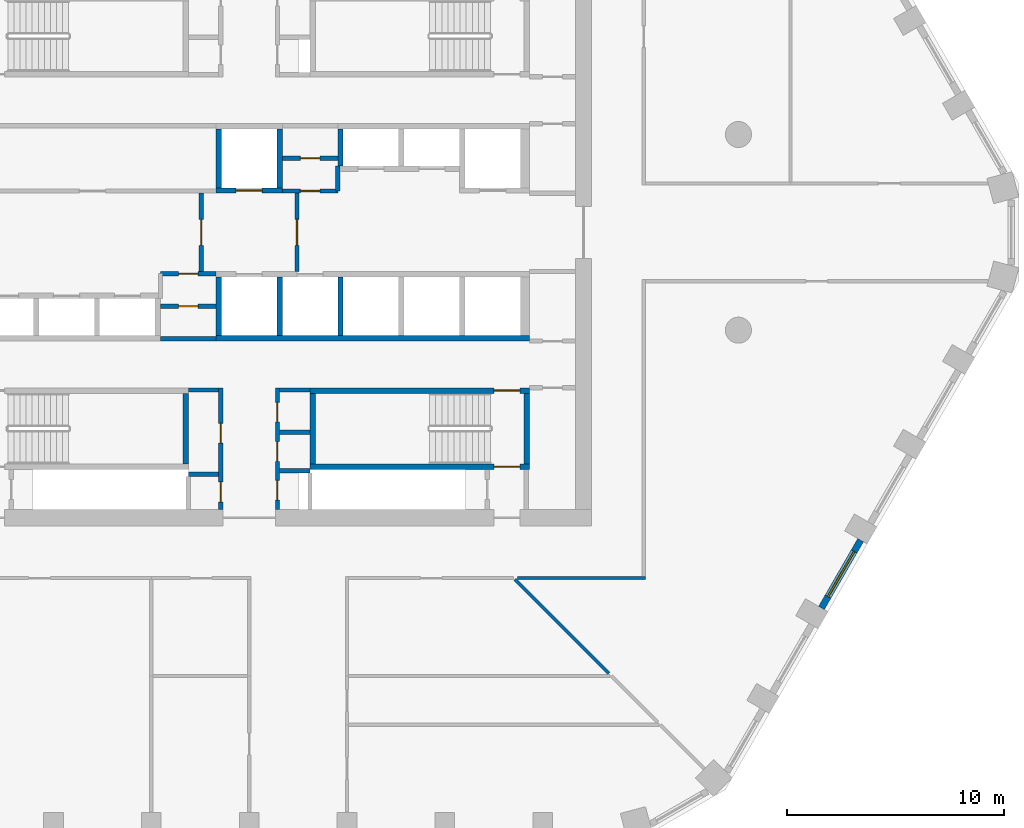
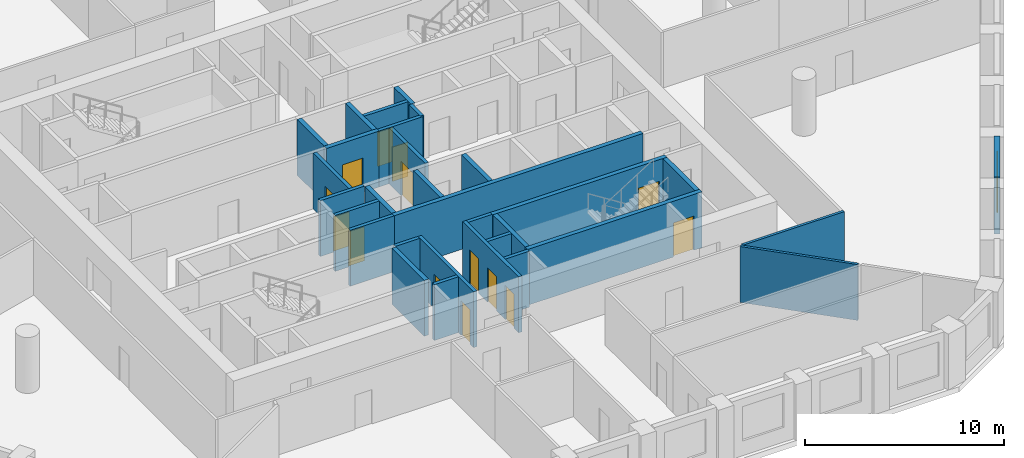
# One storey, part 4 of 9: 31 walls, 14 doors, 1 window, 15 openings.
"""IFC4 building model written with IfcOpenShell, lengths in metres."""

from ifc_helpers import new_model, si_unit, direction, frame, frame_2d, origin, place, context, subcontext, project, spatial, polyline, rectangle, outline, extrude, material, layer, layer_set, type_object, element, fill, save


model = new_model("IFC4")

# Units and contexts
model_context = context("Model", 3, precision=1e-05, world=origin(), true_north=direction((0.0, 1.0)))
body_context = subcontext(model_context, "Body", "Model", "MODEL_VIEW")
ifc_project = project(units=[si_unit("LENGTHUNIT", "METRE"), si_unit("AREAUNIT", "SQUARE_METRE"), si_unit("VOLUMEUNIT", "CUBIC_METRE"), si_unit("PLANEANGLEUNIT", "RADIAN"), si_unit("MASSUNIT", "GRAM", prefix="KILO")], contexts=[model_context])

# Site, building, storey
site_placement = place(None, origin())
site = spatial("IfcSite", under=ifc_project, at=site_placement, CompositionType="ELEMENT")
building_placement = place(site_placement, origin())
building = spatial("IfcBuilding", under=site, at=building_placement, Name="Dhurran Vertical Campus", CompositionType="ELEMENT")
storey_placement = place(building_placement, frame((0.0, 0.0, 175.5)))
storey = spatial("IfcBuildingStorey", under=building, at=storey_placement, Name="L43", CompositionType="ELEMENT", Elevation=175.5)

# Wall, opening, window
ifc_material_1 = material(Name="Precast concrete C50/60", Category="concrete")
ifc_layer_1 = layer(ifc_material_1, 0.300048828125)
ifc_layer_set_1 = layer_set([ifc_layer_1], Name="Precast concrete C50/60")
wall_type_1 = type_object("IfcWallType", Name="Precast spandrel wall 300", PredefinedType="SOLIDWALL", material=ifc_layer_set_1)
wall_1_placement = place(storey_placement, frame((26.3193359375, -17.273193359375, 0.0), z_axis=(0.0, 0.0, 1.0), x_axis=(0.500027802648, 0.866009351323, 0.0)))
wall_1 = element("IfcWall", 1, at=wall_1_placement, inside=storey, type_object=wall_type_1, Name="EW1 L43.11", PredefinedType="SOLIDWALL", context=body_context, shape_type="SweptSolid", body=[
    extrude(rectangle(XDim=3.598876953125, YDim=0.300048828125, at=frame_2d((1.79931640625, 0.0))), origin(), (0.0, 0.0, 1.0), 3.5),
])
opening_1_placement = place(wall_1_placement, frame((0.599609375, 0.0, 0.89990234375)))
opening_1 = element("IfcOpeningElement", 2, at=opening_1_placement, cuts=wall_1, Name="Opening WT1", PredefinedType="OPENING", context=body_context, shape_type="SweptSolid", body=[
    extrude(rectangle(XDim=2.39990234375, YDim=2.10009765625, at=frame_2d((1.199951171875, 1.050048828125))), frame((0.0, 0.159912109375, 0.0), z_axis=(0.0, -1.0, 0.0), x_axis=(1.0, 0.0, 0.0)), (0.0, 0.0, 1.0), 0.320068359375),
])
ifc_material_2 = material(Name="Aluminium frame with solar-control glass", Category="aluminium")
window_type = type_object("IfcWindowType", Name="Punched window 2400 x 2100", PartitioningType="SINGLE_PANEL", PredefinedType="WINDOW", material=ifc_material_2)
window_placement = place(opening_1_placement, origin())
window = element("IfcWindow", 3, at=window_placement, inside=storey, type_object=window_type, Name="WT1 L43.11", OverallHeight=2.10009765625, OverallWidth=2.39990234375, PartitioningType="SINGLE_PANEL", PredefinedType="WINDOW", context=body_context, shape_type="SweptSolid", body=[
    extrude(rectangle(XDim=2.39990234375, YDim=2.10009765625, at=frame_2d((1.199951171875, 1.050048828125))), frame((0.0, 0.030029296875, 0.0), z_axis=(0.0, -1.0, 0.0), x_axis=(1.0, 0.0, 0.0)), (0.0, 0.0, 1.0), 0.06005859375),
])
fill(opening_1, window)

# Wall, opening, door
ifc_material_3 = material(Name="Fire-rated masonry blockwork", Category="masonry")
ifc_layer_2 = layer(ifc_material_3, 0.199951171875)
ifc_layer_set_2 = layer_set([ifc_layer_2], Name="Fire-rated masonry blockwork")
wall_type_2 = type_object("IfcWallType", Name="co-FIRE-PARTITION-200", PredefinedType="PARTITIONING", material=ifc_layer_set_2)
wall_2_placement = place(storey_placement, frame((-2.199951171875, -1.800048828125, 0.0), z_axis=(0.0, 0.0, 1.0), x_axis=(0.0, 1.0, 0.0)))
wall_2 = element("IfcWall", 4, at=wall_2_placement, inside=storey, type_object=wall_type_2, Name="Firefighting lobby wall W L43", PredefinedType="PARTITIONING", context=body_context, shape_type="SweptSolid", body=[
    extrude(rectangle(XDim=3.60009765625, YDim=0.199951171875, at=frame_2d((1.800048828125, 0.0))), origin(), (0.0, 0.0, 1.0), 3.425048828125),
])
opening_2_placement = place(wall_2_placement, frame((1.199951171875, 0.0, 0.0)))
opening_2 = element("IfcOpeningElement", 5, at=opening_2_placement, cuts=wall_2, Name="Opening FL1", PredefinedType="OPENING", context=body_context, shape_type="SweptSolid", body=[
    extrude(rectangle(XDim=1.199951171875, YDim=2.10009765625, at=frame_2d((0.60009765625, 1.050048828125))), frame((0.0, 0.10986328125, 0.0), z_axis=(0.0, -1.0, 0.0), x_axis=(1.0, 0.0, 0.0)), (0.0, 0.0, 1.0), 0.219970703125),
])
ifc_material_4 = material(Name="Fire-rated steel door set", Category="steel")
door_type_1 = type_object("IfcDoorType", Name="co-D-FFLOBBY 1200x2100", OperationType="SINGLE_SWING_LEFT", PredefinedType="DOOR", material=ifc_material_4)
door_1_placement = place(opening_2_placement, origin())
door_1 = element("IfcDoor", 6, at=door_1_placement, inside=storey, type_object=door_type_1, Name="Firefighting lobby door W L43", OperationType="SINGLE_SWING_LEFT", OverallHeight=2.10009765625, OverallWidth=1.199951171875, PredefinedType="DOOR", context=body_context, shape_type="SweptSolid", body=[
    extrude(rectangle(XDim=1.199951171875, YDim=2.10009765625, at=frame_2d((0.60009765625, 1.050048828125))), frame((0.0, 0.02490234375, 0.0), z_axis=(0.0, -1.0, 0.0), x_axis=(1.0, 0.0, 0.0)), (0.0, 0.0, 1.0), 0.050048828125),
])
fill(opening_2, door_1)

wall_3_placement = place(storey_placement, frame((2.199951171875, -1.800048828125, 0.0), z_axis=(0.0, 0.0, 1.0), x_axis=(0.0, 1.0, 0.0)))
wall_3 = element("IfcWall", 7, at=wall_3_placement, inside=storey, type_object=wall_type_2, Name="Firefighting lobby wall E L43", PredefinedType="PARTITIONING", context=body_context, shape_type="SweptSolid", body=[
    extrude(rectangle(XDim=3.60009765625, YDim=0.199951171875, at=frame_2d((1.800048828125, 0.0))), origin(), (0.0, 0.0, 1.0), 3.425048828125),
])
opening_3_placement = place(wall_3_placement, frame((1.199951171875, 0.0, 0.0)))
opening_3 = element("IfcOpeningElement", 8, at=opening_3_placement, cuts=wall_3, Name="Opening FL2", PredefinedType="OPENING", context=body_context, shape_type="SweptSolid", body=[
    extrude(rectangle(XDim=1.199951171875, YDim=2.10009765625, at=frame_2d((0.60009765625, 1.050048828125))), frame((0.0, 0.10986328125, 0.0), z_axis=(0.0, -1.0, 0.0), x_axis=(1.0, 0.0, 0.0)), (0.0, 0.0, 1.0), 0.219970703125),
])
door_2_placement = place(opening_3_placement, origin())
door_2 = element("IfcDoor", 9, at=door_2_placement, inside=storey, type_object=door_type_1, Name="Firefighting lobby door E L43", OperationType="SINGLE_SWING_LEFT", OverallHeight=2.10009765625, OverallWidth=1.199951171875, PredefinedType="DOOR", context=body_context, shape_type="SweptSolid", body=[
    extrude(rectangle(XDim=1.199951171875, YDim=2.10009765625, at=frame_2d((0.60009765625, 1.050048828125))), frame((0.0, 0.02490234375, 0.0), z_axis=(0.0, -1.0, 0.0), x_axis=(1.0, 0.0, 0.0)), (0.0, 0.0, 1.0), 0.050048828125),
])
fill(opening_3, door_2)

# Walls
for number, where, z_axis, x_axis, name in (
    (10, (-2.800048828125, -7.25, 0.0), (0.0, 0.0, 1.0), (1.0, 0.0, 0.0), "Core partition sl-SW-S L43"),
    (11, (-2.800048828125, -11.1298828125, 0.0), (0.0, 0.0, 1.0), (1.0, 0.0, 0.0), "Core partition sl-SW-cut0 L43"),
    (12, (1.39990234375, -7.25, 0.0), (0.0, 0.0, 1.0), (1.0, 0.0, 0.0), "Core partition sl-SE-S L43"),
    (13, (1.39990234375, -9.18603515625, 0.0), (0.0, 0.0, 1.0), (1.0, 0.0, 0.0), "Core partition sl-SE-cut0 L43"),
    (14, (1.39990234375, -10.968017578125, 0.0), (0.0, 0.0, 1.0), (1.0, 0.0, 0.0), "Core partition sl-SE-cut1 L43"),
):
    element("IfcWall", number, at=place(storey_placement, frame(where, z_axis=z_axis, x_axis=x_axis)), inside=storey, type_object=wall_type_2, Name=name, PredefinedType="PARTITIONING", context=body_context, shape_type="SweptSolid", body=[
        extrude(rectangle(XDim=1.400146484375, YDim=0.199951171875, at=frame_2d((0.7001953125, 0.0))), origin(), (0.0, 0.0, 1.0), 3.425048828125),
    ])

# Wall, openings, doors
wall_4_placement = place(storey_placement, frame((-1.300048828125, -12.75, 0.0), z_axis=(0.0, 0.0, 1.0), x_axis=(0.0, 1.0, 0.0)))
wall_4 = element("IfcWall", 15, at=wall_4_placement, inside=storey, type_object=wall_type_2, Name="Core partition vest-SW L43", PredefinedType="PARTITIONING", context=body_context, shape_type="SweptSolid", body=[
    extrude(rectangle(XDim=5.60009765625, YDim=0.199951171875, at=frame_2d((2.800048828125, 0.0))), origin(), (0.0, 0.0, 1.0), 3.425048828125),
])
opening_4_placement = place(wall_4_placement, frame((0.360107421875, 0.0, 0.0)))
opening_4 = element("IfcOpeningElement", 16, at=opening_4_placement, cuts=wall_4, Name="Opening T12-C1", PredefinedType="OPENING", context=body_context, shape_type="SweptSolid", body=[
    extrude(rectangle(XDim=0.89990234375, YDim=2.10009765625, at=frame_2d((0.449951171875, 1.050048828125))), frame((0.0, 0.10986328125, 0.0), z_axis=(0.0, -1.0, 0.0), x_axis=(1.0, 0.0, 0.0)), (0.0, 0.0, 1.0), 0.219970703125),
])
opening_5_placement = place(wall_4_placement, frame((3.06005859375, 0.0, 0.0)))
opening_5 = element("IfcOpeningElement", 17, at=opening_5_placement, cuts=wall_4, Name="Opening T12-C2", PredefinedType="OPENING", context=body_context, shape_type="SweptSolid", body=[
    extrude(rectangle(XDim=0.89990234375, YDim=2.10009765625, at=frame_2d((0.449951171875, 1.050048828125))), frame((0.0, 0.10986328125, 0.0), z_axis=(0.0, -1.0, 0.0), x_axis=(1.0, 0.0, 0.0)), (0.0, 0.0, 1.0), 0.219970703125),
])
ifc_material_5 = material(Name="Fire-rated timber door set", Category="wood")
door_type_2 = type_object("IfcDoorType", Name="co-D-ROOM 900x2100", OperationType="SINGLE_SWING_LEFT", PredefinedType="DOOR", material=ifc_material_5)
door_3_placement = place(opening_4_placement, origin())
door_3 = element("IfcDoor", 18, at=door_3_placement, inside=storey, type_object=door_type_2, Name="Print room door L43", OperationType="SINGLE_SWING_LEFT", OverallHeight=2.10009765625, OverallWidth=0.89990234375, PredefinedType="DOOR", context=body_context, shape_type="SweptSolid", body=[
    extrude(rectangle(XDim=0.89990234375, YDim=2.10009765625, at=frame_2d((0.449951171875, 1.050048828125))), frame((0.0, 0.02490234375, 0.0), z_axis=(0.0, -1.0, 0.0), x_axis=(1.0, 0.0, 0.0)), (0.0, 0.0, 1.0), 0.050048828125),
])
fill(opening_4, door_3)
door_4_placement = place(opening_5_placement, origin())
door_4 = element("IfcDoor", 19, at=door_4_placement, inside=storey, type_object=door_type_2, Name="Communications room door L43", OperationType="SINGLE_SWING_LEFT", OverallHeight=2.10009765625, OverallWidth=0.89990234375, PredefinedType="DOOR", context=body_context, shape_type="SweptSolid", body=[
    extrude(rectangle(XDim=0.89990234375, YDim=2.10009765625, at=frame_2d((0.449951171875, 1.050048828125))), frame((0.0, 0.02490234375, 0.0), z_axis=(0.0, -1.0, 0.0), x_axis=(1.0, 0.0, 0.0)), (0.0, 0.0, 1.0), 0.050048828125),
])
fill(opening_5, door_4)

wall_5_placement = place(storey_placement, frame((1.300048828125, -12.75, 0.0), z_axis=(0.0, 0.0, 1.0), x_axis=(0.0, 1.0, 0.0)))
wall_5 = element("IfcWall", 20, at=wall_5_placement, inside=storey, type_object=wall_type_2, Name="Core partition vest-SE L43", PredefinedType="PARTITIONING", context=body_context, shape_type="SweptSolid", body=[
    extrude(rectangle(XDim=5.60009765625, YDim=0.199951171875, at=frame_2d((2.800048828125, 0.0))), origin(), (0.0, 0.0, 1.0), 3.425048828125),
])
opening_6_placement = place(wall_5_placement, frame((0.44091796875, 0.0, 0.0)))
opening_6 = element("IfcOpeningElement", 21, at=opening_6_placement, cuts=wall_5, Name="Opening T12-C3", PredefinedType="OPENING", context=body_context, shape_type="SweptSolid", body=[
    extrude(rectangle(XDim=0.89990234375, YDim=2.10009765625, at=frame_2d((0.449951171875, 1.050048828125))), frame((0.0, 0.10986328125, 0.0), z_axis=(0.0, -1.0, 0.0), x_axis=(1.0, 0.0, 0.0)), (0.0, 0.0, 1.0), 0.219970703125),
])
opening_7_placement = place(wall_5_placement, frame((2.222900390625, 0.0, 0.0)))
opening_7 = element("IfcOpeningElement", 22, at=opening_7_placement, cuts=wall_5, Name="Opening T12-C4", PredefinedType="OPENING", context=body_context, shape_type="SweptSolid", body=[
    extrude(rectangle(XDim=0.89990234375, YDim=2.10009765625, at=frame_2d((0.449951171875, 1.050048828125))), frame((0.0, 0.10986328125, 0.0), z_axis=(0.0, -1.0, 0.0), x_axis=(1.0, 0.0, 0.0)), (0.0, 0.0, 1.0), 0.219970703125),
])
opening_8_placement = place(wall_5_placement, frame((4.031982421875, 0.0, 0.0)))
opening_8 = element("IfcOpeningElement", 23, at=opening_8_placement, cuts=wall_5, Name="Opening T12-C5", PredefinedType="OPENING", context=body_context, shape_type="SweptSolid", body=[
    extrude(rectangle(XDim=0.89990234375, YDim=2.10009765625, at=frame_2d((0.449951171875, 1.050048828125))), frame((0.0, 0.10986328125, 0.0), z_axis=(0.0, -1.0, 0.0), x_axis=(1.0, 0.0, 0.0)), (0.0, 0.0, 1.0), 0.219970703125),
])
door_5_placement = place(opening_6_placement, origin())
door_5 = element("IfcDoor", 24, at=door_5_placement, inside=storey, type_object=door_type_2, Name="Electrical riser door L43", OperationType="SINGLE_SWING_LEFT", OverallHeight=2.10009765625, OverallWidth=0.89990234375, PredefinedType="DOOR", context=body_context, shape_type="SweptSolid", body=[
    extrude(rectangle(XDim=0.89990234375, YDim=2.10009765625, at=frame_2d((0.449951171875, 1.050048828125))), frame((0.0, 0.02490234375, 0.0), z_axis=(0.0, -1.0, 0.0), x_axis=(1.0, 0.0, 0.0)), (0.0, 0.0, 1.0), 0.050048828125),
])
fill(opening_6, door_5)
door_6_placement = place(opening_7_placement, origin())
door_6 = element("IfcDoor", 25, at=door_6_placement, inside=storey, type_object=door_type_2, Name="Fire equipment store door L43", OperationType="SINGLE_SWING_LEFT", OverallHeight=2.10009765625, OverallWidth=0.89990234375, PredefinedType="DOOR", context=body_context, shape_type="SweptSolid", body=[
    extrude(rectangle(XDim=0.89990234375, YDim=2.10009765625, at=frame_2d((0.449951171875, 1.050048828125))), frame((0.0, 0.02490234375, 0.0), z_axis=(0.0, -1.0, 0.0), x_axis=(1.0, 0.0, 0.0)), (0.0, 0.0, 1.0), 0.050048828125),
])
fill(opening_7, door_6)
door_7_placement = place(opening_8_placement, origin())
door_7 = element("IfcDoor", 26, at=door_7_placement, inside=storey, type_object=door_type_2, Name="Cleaner's store door L43", OperationType="SINGLE_SWING_LEFT", OverallHeight=2.10009765625, OverallWidth=0.89990234375, PredefinedType="DOOR", context=body_context, shape_type="SweptSolid", body=[
    extrude(rectangle(XDim=0.89990234375, YDim=2.10009765625, at=frame_2d((0.449951171875, 1.050048828125))), frame((0.0, 0.02490234375, 0.0), z_axis=(0.0, -1.0, 0.0), x_axis=(1.0, 0.0, 0.0)), (0.0, 0.0, 1.0), 0.050048828125),
])
fill(opening_8, door_7)

# Wall, opening, door
wall_6_placement = place(storey_placement, frame((1.52490234375, 3.39990234375, 0.0), z_axis=(0.0, 0.0, 1.0), x_axis=(1.0, 0.0, 0.0)))
wall_6 = element("IfcWall", 27, at=wall_6_placement, inside=storey, type_object=wall_type_2, Name="Core partition fr-N1-c L43", PredefinedType="PARTITIONING", context=body_context, shape_type="SweptSolid", body=[
    extrude(rectangle(XDim=2.550048828125, YDim=0.199951171875, at=frame_2d((1.27490234375, 0.0))), origin(), (0.0, 0.0, 1.0), 3.425048828125),
])
opening_9_placement = place(wall_6_placement, frame((0.824951171875, 0.0, 0.0)))
opening_9 = element("IfcOpeningElement", 28, at=opening_9_placement, cuts=wall_6, Name="Opening T12-C23", PredefinedType="OPENING", context=body_context, shape_type="SweptSolid", body=[
    extrude(rectangle(XDim=0.89990234375, YDim=2.10009765625, at=frame_2d((0.449951171875, 1.050048828125))), frame((0.0, 0.10986328125, 0.0), z_axis=(0.0, -1.0, 0.0), x_axis=(1.0, 0.0, 0.0)), (0.0, 0.0, 1.0), 0.219970703125),
])
door_8_placement = place(opening_9_placement, origin())
door_8 = element("IfcDoor", 29, at=door_8_placement, inside=storey, type_object=door_type_2, Name="Housekeeping store door L43", OperationType="SINGLE_SWING_LEFT", OverallHeight=2.10009765625, OverallWidth=0.89990234375, PredefinedType="DOOR", context=body_context, shape_type="SweptSolid", body=[
    extrude(rectangle(XDim=0.89990234375, YDim=2.10009765625, at=frame_2d((0.449951171875, 1.050048828125))), frame((0.0, 0.02490234375, 0.0), z_axis=(0.0, -1.0, 0.0), x_axis=(1.0, 0.0, 0.0)), (0.0, 0.0, 1.0), 0.050048828125),
])
fill(opening_9, door_8)

wall_7_placement = place(storey_placement, frame((1.52490234375, 1.89990234375, 0.0), z_axis=(0.0, 0.0, 1.0), x_axis=(1.0, 0.0, 0.0)))
wall_7 = element("IfcWall", 30, at=wall_7_placement, inside=storey, type_object=wall_type_2, Name="Core partition fr-N1-f L43", PredefinedType="PARTITIONING", context=body_context, shape_type="SweptSolid", body=[
    extrude(rectangle(XDim=2.550048828125, YDim=0.199951171875, at=frame_2d((1.27490234375, 0.0))), origin(), (0.0, 0.0, 1.0), 3.425048828125),
])
opening_10_placement = place(wall_7_placement, frame((0.824951171875, 0.0, 0.0)))
opening_10 = element("IfcOpeningElement", 31, at=opening_10_placement, cuts=wall_7, Name="Opening T12-C24", PredefinedType="OPENING", context=body_context, shape_type="SweptSolid", body=[
    extrude(rectangle(XDim=0.89990234375, YDim=2.10009765625, at=frame_2d((0.449951171875, 1.050048828125))), frame((0.0, 0.10986328125, 0.0), z_axis=(0.0, -1.0, 0.0), x_axis=(1.0, 0.0, 0.0)), (0.0, 0.0, 1.0), 0.219970703125),
])
door_9_placement = place(opening_10_placement, origin())
door_9 = element("IfcDoor", 32, at=door_9_placement, inside=storey, type_object=door_type_2, Name="Cleaner's store door L43", OperationType="SINGLE_SWING_LEFT", OverallHeight=2.10009765625, OverallWidth=0.89990234375, PredefinedType="DOOR", context=body_context, shape_type="SweptSolid", body=[
    extrude(rectangle(XDim=0.89990234375, YDim=2.10009765625, at=frame_2d((0.449951171875, 1.050048828125))), frame((0.0, 0.02490234375, 0.0), z_axis=(0.0, -1.0, 0.0), x_axis=(1.0, 0.0, 0.0)), (0.0, 0.0, 1.0), 0.050048828125),
])
fill(opening_10, door_9)

# Wall
wall_8_placement = place(storey_placement, frame((4.074951171875, 1.89990234375, 0.0), z_axis=(0.0, 0.0, 1.0), x_axis=(0.0, 1.0, 0.0)))
element("IfcWall", 33, at=wall_8_placement, inside=storey, type_object=wall_type_2, Name="Core partition fr-N1-n1 L43", PredefinedType="PARTITIONING", context=body_context, shape_type="SweptSolid", body=[
    extrude(rectangle(XDim=1.150146484375, YDim=0.199951171875, at=frame_2d((0.5751953125, 0.0))), origin(), (0.0, 0.0, 1.0), 3.425048828125),
])

# Wall, opening, door
wall_9_placement = place(storey_placement, frame((-4.074951171875, -3.39990234375, 0.0), z_axis=(0.0, 0.0, 1.0), x_axis=(1.0, 0.0, 0.0)))
wall_9 = element("IfcWall", 34, at=wall_9_placement, inside=storey, type_object=wall_type_2, Name="Core partition fr-S0-c L43", PredefinedType="PARTITIONING", context=body_context, shape_type="SweptSolid", body=[
    extrude(rectangle(XDim=2.550048828125, YDim=0.199951171875, at=frame_2d((1.27490234375, 0.0))), origin(), (0.0, 0.0, 1.0), 3.425048828125),
])
opening_11_placement = place(wall_9_placement, frame((0.824951171875, 0.0, 0.0)))
opening_11 = element("IfcOpeningElement", 35, at=opening_11_placement, cuts=wall_9, Name="Opening T12-C25", PredefinedType="OPENING", context=body_context, shape_type="SweptSolid", body=[
    extrude(rectangle(XDim=0.89990234375, YDim=2.10009765625, at=frame_2d((0.449951171875, 1.050048828125))), frame((0.0, 0.10986328125, 0.0), z_axis=(0.0, -1.0, 0.0), x_axis=(1.0, 0.0, 0.0)), (0.0, 0.0, 1.0), 0.219970703125),
])
door_10_placement = place(opening_11_placement, origin())
door_10 = element("IfcDoor", 36, at=door_10_placement, inside=storey, type_object=door_type_2, Name="Server room door L43", OperationType="SINGLE_SWING_LEFT", OverallHeight=2.10009765625, OverallWidth=0.89990234375, PredefinedType="DOOR", context=body_context, shape_type="SweptSolid", body=[
    extrude(rectangle(XDim=0.89990234375, YDim=2.10009765625, at=frame_2d((0.449951171875, 1.050048828125))), frame((0.0, 0.02490234375, 0.0), z_axis=(0.0, -1.0, 0.0), x_axis=(1.0, 0.0, 0.0)), (0.0, 0.0, 1.0), 0.050048828125),
])
fill(opening_11, door_10)

wall_10_placement = place(storey_placement, frame((-4.074951171875, -1.89990234375, 0.0), z_axis=(0.0, 0.0, 1.0), x_axis=(1.0, 0.0, 0.0)))
wall_10 = element("IfcWall", 37, at=wall_10_placement, inside=storey, type_object=wall_type_2, Name="Core partition fr-S0-f L43", PredefinedType="PARTITIONING", context=body_context, shape_type="SweptSolid", body=[
    extrude(rectangle(XDim=2.550048828125, YDim=0.199951171875, at=frame_2d((1.27490234375, 0.0))), origin(), (0.0, 0.0, 1.0), 3.425048828125),
])
opening_12_placement = place(wall_10_placement, frame((0.824951171875, 0.0, 0.0)))
opening_12 = element("IfcOpeningElement", 38, at=opening_12_placement, cuts=wall_10, Name="Opening T12-C26", PredefinedType="OPENING", context=body_context, shape_type="SweptSolid", body=[
    extrude(rectangle(XDim=0.89990234375, YDim=2.10009765625, at=frame_2d((0.449951171875, 1.050048828125))), frame((0.0, 0.10986328125, 0.0), z_axis=(0.0, -1.0, 0.0), x_axis=(1.0, 0.0, 0.0)), (0.0, 0.0, 1.0), 0.219970703125),
])
door_11_placement = place(opening_12_placement, origin())
door_11 = element("IfcDoor", 39, at=door_11_placement, inside=storey, type_object=door_type_2, Name="Store door L43", OperationType="SINGLE_SWING_LEFT", OverallHeight=2.10009765625, OverallWidth=0.89990234375, PredefinedType="DOOR", context=body_context, shape_type="SweptSolid", body=[
    extrude(rectangle(XDim=0.89990234375, YDim=2.10009765625, at=frame_2d((0.449951171875, 1.050048828125))), frame((0.0, 0.02490234375, 0.0), z_axis=(0.0, -1.0, 0.0), x_axis=(1.0, 0.0, 0.0)), (0.0, 0.0, 1.0), 0.050048828125),
])
fill(opening_12, door_11)

# Wall
wall_11_placement = place(storey_placement, frame((-4.074951171875, -4.89990234375, 0.0), z_axis=(0.0, 0.0, 1.0), x_axis=(1.0, 0.0, 0.0)))
element("IfcWall", 40, at=wall_11_placement, inside=storey, type_object=wall_type_2, Name="Core partition fr-S0-b L43", PredefinedType="PARTITIONING", context=body_context, shape_type="SweptSolid", body=[
    extrude(rectangle(XDim=2.550048828125, YDim=0.199951171875, at=frame_2d((1.27490234375, 0.0))), origin(), (0.0, 0.0, 1.0), 3.425048828125),
])

# Wall, opening, door
ifc_material_6 = material(Name="Concrete C50/60", Category="concrete")
ifc_layer_3 = layer(ifc_material_6, 0.25)
ifc_layer_set_3 = layer_set([ifc_layer_3], Name="Concrete C50/60")
wall_type_3 = type_object("IfcWallType", Name="co-SHAFT-FRONT-250", PredefinedType="SHEAR", material=ifc_layer_set_3)
wall_12_placement = place(storey_placement, frame((-1.52490234375, 1.925048828125, 0.0), z_axis=(0.0, 0.0, 1.0), x_axis=(1.0, 0.0, 0.0)))
wall_12 = element("IfcWall", 41, at=wall_12_placement, inside=storey, type_object=wall_type_3, Name="Lift landing wall N L43", PredefinedType="SHEAR", context=body_context, shape_type="SweptSolid", body=[
    extrude(rectangle(XDim=3.0498046875, YDim=0.25, at=frame_2d((1.52490234375, 0.0))), origin(), (0.0, 0.0, 1.0), 3.425048828125),
])
opening_13_placement = place(wall_12_placement, frame((0.925048828125, 0.0, 0.0)))
opening_13 = element("IfcOpeningElement", 42, at=opening_13_placement, cuts=wall_12, Name="Opening LD", PredefinedType="OPENING", context=body_context, shape_type="SweptSolid", body=[
    extrude(rectangle(XDim=1.199951171875, YDim=2.10009765625, at=frame_2d((0.60009765625, 1.050048828125))), frame((0.0, 0.135009765625, 0.0), z_axis=(0.0, -1.0, 0.0), x_axis=(1.0, 0.0, 0.0)), (0.0, 0.0, 1.0), 0.27001953125),
])
ifc_material_7 = material(Name="Stainless steel landing door", Category="steel")
door_type_3 = type_object("IfcDoorType", Name="co-D-LANDING 1200x2100", OperationType="DOUBLE_DOOR_SLIDING", PredefinedType="DOOR", material=ifc_material_7)
door_12_placement = place(opening_13_placement, origin())
door_12 = element("IfcDoor", 43, at=door_12_placement, inside=storey, type_object=door_type_3, Name="Landing door FF1 L43", OperationType="DOUBLE_DOOR_SLIDING", OverallHeight=2.10009765625, OverallWidth=1.199951171875, PredefinedType="DOOR", context=body_context, shape_type="SweptSolid", body=[
    extrude(rectangle(XDim=1.199951171875, YDim=2.10009765625, at=frame_2d((0.60009765625, 1.050048828125))), frame((0.0, 0.02490234375, 0.0), z_axis=(0.0, -1.0, 0.0), x_axis=(1.0, 0.0, 0.0)), (0.0, 0.0, 1.0), 0.050048828125),
])
fill(opening_13, door_12)

# Walls
ifc_material_8 = material(Name="Concrete C50/60", Category="concrete")
ifc_layer_4 = layer(ifc_material_8, 0.25)
ifc_layer_set_4 = layer_set([ifc_layer_4], Name="Concrete C50/60")
wall_type_4 = type_object("IfcWallType", Name="co-SHAFT-MASS-250", PredefinedType="SHEAR", material=ifc_layer_set_4)
wall_13_placement = place(storey_placement, origin())
element("IfcWall", 44, at=wall_13_placement, inside=storey, type_object=wall_type_4, Name="Lift shaft wall N L43 3", PredefinedType="SHEAR", context=body_context, shape_type="SweptSolid", body=[
    extrude(outline(polyline([(-1.52490234375, 2.050048828125), (-1.27490234375, 2.050048828125), (-1.27490234375, 4.75), (-1.52490234375, 4.75), (-1.52490234375, 2.050048828125)])), origin(), (0.0, 0.0, 1.0), 3.425048828125),
])
wall_14_placement = place(storey_placement, origin())
element("IfcWall", 45, at=wall_14_placement, inside=storey, type_object=wall_type_4, Name="Lift shaft wall N L43 4", PredefinedType="SHEAR", context=body_context, shape_type="SweptSolid", body=[
    extrude(outline(polyline([(1.27490234375, 2.050048828125), (1.52490234375, 2.050048828125), (1.52490234375, 4.75), (1.27490234375, 4.75), (1.27490234375, 2.050048828125)])), origin(), (0.0, 0.0, 1.0), 3.425048828125),
])
wall_15_placement = place(storey_placement, origin())
element("IfcWall", 46, at=wall_15_placement, inside=storey, type_object=wall_type_4, Name="Lift shaft wall N L43 7", PredefinedType="SHEAR", context=body_context, shape_type="SweptSolid", body=[
    extrude(outline(polyline([(4.074951171875, 3.050048828125), (4.324951171875, 3.050048828125), (4.324951171875, 4.75), (4.074951171875, 4.75), (4.074951171875, 3.050048828125)])), origin(), (0.0, 0.0, 1.0), 3.425048828125),
])
wall_16_placement = place(storey_placement, origin())
element("IfcWall", 47, at=wall_16_placement, inside=storey, type_object=wall_type_4, Name="Lift shaft wall S L43 2", PredefinedType="SHEAR", context=body_context, shape_type="SweptSolid", body=[
    extrude(outline(polyline([(-1.52490234375, -5.0), (12.89990234375, -5.0), (12.89990234375, -4.75), (-1.52490234375, -4.75), (-1.52490234375, -5.0)])), origin(), (0.0, 0.0, 1.0), 3.425048828125),
])
wall_17_placement = place(storey_placement, origin())
element("IfcWall", 48, at=wall_17_placement, inside=storey, type_object=wall_type_4, Name="Lift shaft wall S L43 7", PredefinedType="SHEAR", context=body_context, shape_type="SweptSolid", body=[
    extrude(outline(polyline([(-1.52490234375, -4.75), (-1.27490234375, -4.75), (-1.27490234375, -2.050048828125), (-1.52490234375, -2.050048828125), (-1.52490234375, -4.75)])), origin(), (0.0, 0.0, 1.0), 3.425048828125),
])
wall_18_placement = place(storey_placement, origin())
element("IfcWall", 49, at=wall_18_placement, inside=storey, type_object=wall_type_4, Name="Lift shaft wall S L43 8", PredefinedType="SHEAR", context=body_context, shape_type="SweptSolid", body=[
    extrude(outline(polyline([(1.27490234375, -4.75), (1.52490234375, -4.75), (1.52490234375, -2.050048828125), (1.27490234375, -2.050048828125), (1.27490234375, -4.75)])), origin(), (0.0, 0.0, 1.0), 3.425048828125),
])
wall_19_placement = place(storey_placement, origin())
element("IfcWall", 50, at=wall_19_placement, inside=storey, type_object=wall_type_4, Name="Lift shaft wall S L43 9", PredefinedType="SHEAR", context=body_context, shape_type="SweptSolid", body=[
    extrude(outline(polyline([(4.074951171875, -4.75), (4.324951171875, -4.75), (4.324951171875, -2.050048828125), (4.074951171875, -2.050048828125), (4.074951171875, -4.75)])), origin(), (0.0, 0.0, 1.0), 3.425048828125),
])
ifc_material_9 = material(Name="Concrete C40/50", Category="concrete")
ifc_layer_5 = layer(ifc_material_9, 0.25)
ifc_layer_set_5 = layer_set([ifc_layer_5], Name="Concrete C40/50")
wall_type_5 = type_object("IfcWallType", Name="co-STAIR-WALL-250", PredefinedType="SHEAR", material=ifc_layer_set_5)
wall_20_placement = place(storey_placement, frame((-2.925048828125, -10.64990234375, 0.0), z_axis=(0.0, 0.0, 1.0), x_axis=(0.0, 1.0, 0.0)))
element("IfcWall", 51, at=wall_20_placement, inside=storey, type_object=wall_type_5, Name="Stair ST3 enclosure wall L43", PredefinedType="SHEAR", context=body_context, shape_type="SweptSolid", body=[
    extrude(rectangle(XDim=3.25, YDim=0.25, at=frame_2d((1.625, 0.0))), origin(), (0.0, 0.0, 1.0), 3.425048828125),
])

# Wall, opening, door
wall_21_placement = place(storey_placement, frame((2.800048828125, -10.77490234375, 0.0), z_axis=(0.0, 0.0, 1.0), x_axis=(1.0, 0.0, 0.0)))
wall_21 = element("IfcWall", 52, at=wall_21_placement, inside=storey, type_object=wall_type_5, Name="Stair ST4 enclosure wall L43", PredefinedType="SHEAR", context=body_context, shape_type="SweptSolid", body=[
    extrude(rectangle(XDim=10.099853515625, YDim=0.25, at=frame_2d((5.0498046875, 0.0))), origin(), (0.0, 0.0, 1.0), 3.425048828125),
])
opening_14_placement = place(wall_21_placement, frame((8.449951171875, 0.0, 0.0)))
opening_14 = element("IfcOpeningElement", 53, at=opening_14_placement, cuts=wall_21, Name="Opening XS4", PredefinedType="OPENING", context=body_context, shape_type="SweptSolid", body=[
    extrude(rectangle(XDim=1.199951171875, YDim=2.10009765625, at=frame_2d((0.60009765625, 1.050048828125))), frame((0.0, 0.135009765625, 0.0), z_axis=(0.0, -1.0, 0.0), x_axis=(1.0, 0.0, 0.0)), (0.0, 0.0, 1.0), 0.27001953125),
])
ifc_material_10 = material(Name="Fire-rated steel door set", Category="steel")
door_type_4 = type_object("IfcDoorType", Name="co-D-STAIR-EXIT 1200x2100", OperationType="SINGLE_SWING_RIGHT", PredefinedType="DOOR", material=ifc_material_10)
door_13_placement = place(opening_14_placement, origin())
door_13 = element("IfcDoor", 54, at=door_13_placement, inside=storey, type_object=door_type_4, Name="Stair ST4 discharge door L43", OperationType="SINGLE_SWING_RIGHT", OverallHeight=2.10009765625, OverallWidth=1.199951171875, PredefinedType="DOOR", context=body_context, shape_type="SweptSolid", body=[
    extrude(rectangle(XDim=1.199951171875, YDim=2.10009765625, at=frame_2d((0.60009765625, 1.050048828125))), frame((0.0, 0.02490234375, 0.0), z_axis=(0.0, -1.0, 0.0), x_axis=(1.0, 0.0, 0.0)), (0.0, 0.0, 1.0), 0.050048828125),
])
fill(opening_14, door_13)

wall_22_placement = place(storey_placement, frame((2.800048828125, -7.27490234375, 0.0), z_axis=(0.0, 0.0, 1.0), x_axis=(1.0, 0.0, 0.0)))
wall_22 = element("IfcWall", 55, at=wall_22_placement, inside=storey, type_object=wall_type_5, Name="Stair ST4 enclosure wall L43", PredefinedType="SHEAR", context=body_context, shape_type="SweptSolid", body=[
    extrude(rectangle(XDim=10.099853515625, YDim=0.25, at=frame_2d((5.0498046875, 0.0))), origin(), (0.0, 0.0, 1.0), 3.425048828125),
])
opening_15_placement = place(wall_22_placement, frame((8.449951171875, 0.0, 0.0)))
opening_15 = element("IfcOpeningElement", 56, at=opening_15_placement, cuts=wall_22, Name="Opening SD4", PredefinedType="OPENING", context=body_context, shape_type="SweptSolid", body=[
    extrude(rectangle(XDim=1.199951171875, YDim=2.10009765625, at=frame_2d((0.60009765625, 1.050048828125))), frame((0.0, 0.135009765625, 0.0), z_axis=(0.0, -1.0, 0.0), x_axis=(1.0, 0.0, 0.0)), (0.0, 0.0, 1.0), 0.27001953125),
])
ifc_material_11 = material(Name="Fire-rated steel door set", Category="steel")
door_type_5 = type_object("IfcDoorType", Name="co-D-STAIR 1200x2100", OperationType="SINGLE_SWING_LEFT", PredefinedType="DOOR", material=ifc_material_11)
door_14_placement = place(opening_15_placement, origin())
door_14 = element("IfcDoor", 57, at=door_14_placement, inside=storey, type_object=door_type_5, Name="Stair ST4 door L43", OperationType="SINGLE_SWING_LEFT", OverallHeight=2.10009765625, OverallWidth=1.199951171875, PredefinedType="DOOR", context=body_context, shape_type="SweptSolid", body=[
    extrude(rectangle(XDim=1.199951171875, YDim=2.10009765625, at=frame_2d((0.60009765625, 1.050048828125))), frame((0.0, 0.02490234375, 0.0), z_axis=(0.0, -1.0, 0.0), x_axis=(1.0, 0.0, 0.0)), (0.0, 0.0, 1.0), 0.050048828125),
])
fill(opening_15, door_14)

# Walls
for number, where, z_axis, x_axis, name in (
    (58, (2.925048828125, -10.64990234375, 0.0), (0.0, 0.0, 1.0), (0.0, 1.0, 0.0), "Stair ST4 enclosure wall L43"),
    (59, (12.77490234375, -10.64990234375, 0.0), (0.0, 0.0, 1.0), (0.0, 1.0, 0.0), "Stair ST4 enclosure wall L43"),
):
    element("IfcWall", number, at=place(storey_placement, frame(where, z_axis=z_axis, x_axis=x_axis)), inside=storey, type_object=wall_type_5, Name=name, PredefinedType="SHEAR", context=body_context, shape_type="SweptSolid", body=[
        extrude(rectangle(XDim=3.25, YDim=0.25, at=frame_2d((1.625, 0.0))), origin(), (0.0, 0.0, 1.0), 3.425048828125),
    ])
ifc_material_12 = material(Name="Gypsum board corridor wall on steel studs", Category="steel")
ifc_layer_6 = layer(ifc_material_12, 0.14990234375)
ifc_layer_set_6 = layer_set([ifc_layer_6], Name="Gypsum board corridor wall on steel studs")
wall_type_6 = type_object("IfcWallType", Name="fl-CW-150 corridor wall", PredefinedType="PARTITIONING", material=ifc_layer_set_6)
wall_23_placement = place(storey_placement, frame((12.339111328125, -15.89990234375, 0.0), z_axis=(0.0, 0.0, 1.0), x_axis=(1.0, 0.0, 0.0)))
element("IfcWall", 60, at=wall_23_placement, inside=storey, type_object=wall_type_6, Name="Partition 43-37", PredefinedType="PARTITIONING", context=body_context, shape_type="SweptSolid", body=[
    extrude(rectangle(XDim=5.885986328125, YDim=0.14990234375, at=frame_2d((2.94287109375, 0.0))), origin(), (0.0, 0.0, 1.0), 3.425048828125),
])
ifc_material_13 = material(Name="Gypsum board partition on steel studs", Category="steel")
ifc_layer_7 = layer(ifc_material_13, 0.14990234375)
ifc_layer_set_7 = layer_set([ifc_layer_7], Name="Gypsum board partition on steel studs")
wall_type_7 = type_object("IfcWallType", Name="fl-PW-150 fixed partition", PredefinedType="PARTITIONING", material=ifc_layer_set_7)
wall_24_placement = place(storey_placement, frame((12.217041015625, -15.952880859375, 0.0), z_axis=(0.0, 0.0, 1.0), x_axis=(0.707086815725, -0.707126746085, 0.0)))
element("IfcWall", 61, at=wall_24_placement, inside=storey, type_object=wall_type_7, Name="Partition 43-36", PredefinedType="PARTITIONING", context=body_context, shape_type="SweptSolid", body=[
    extrude(rectangle(XDim=6.1142578125, YDim=0.14990234375, at=frame_2d((3.05712890625, 0.0))), origin(), (0.0, 0.0, 1.0), 3.425048828125),
])

save(model, "model.ifc")
